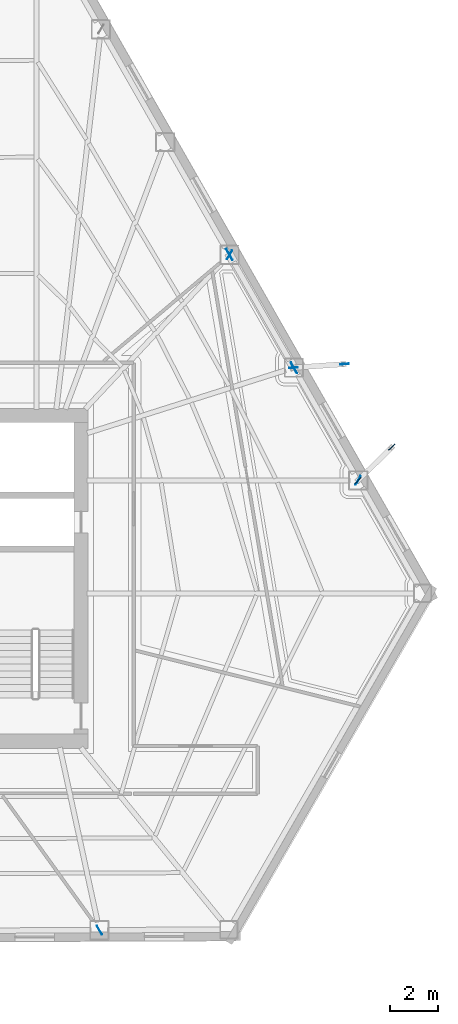
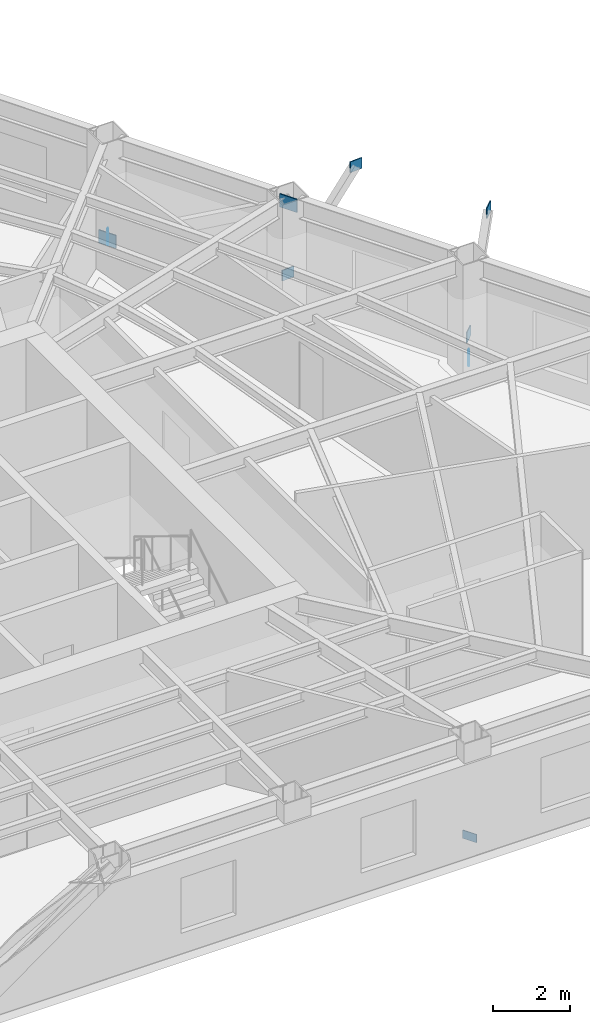
# One storey, part 5 of 12: 9 plates.
"""IFC4 building model written with IfcOpenShell, lengths in metres."""

from ifc_helpers import new_model, si_unit, direction, frame, origin, origin_2d, place, context, subcontext, project, spatial, rectangle, extrude, material, layer, layer_set, type_object, element, save


model = new_model("IFC4")

# Units and contexts
model_context = context("Model", 3, precision=1e-05, world=origin(), true_north=direction((0.0, 1.0)))
body_context = subcontext(model_context, "Body", "Model", "MODEL_VIEW")
ifc_project = project(units=[si_unit("LENGTHUNIT", "METRE"), si_unit("AREAUNIT", "SQUARE_METRE"), si_unit("VOLUMEUNIT", "CUBIC_METRE"), si_unit("PLANEANGLEUNIT", "RADIAN"), si_unit("MASSUNIT", "GRAM", prefix="KILO")], contexts=[model_context])

# Site, building, storey
site_placement = place(None, origin())
site = spatial("IfcSite", under=ifc_project, at=site_placement, CompositionType="ELEMENT")
building_placement = place(site_placement, origin())
building = spatial("IfcBuilding", under=site, at=building_placement, Name="Kavelnor Concourse Tower", CompositionType="ELEMENT")
storey_placement = place(building_placement, frame((0.0, 0.0, 13.699951171875)))
storey = spatial("IfcBuildingStorey", under=building, at=storey_placement, Name="L03", CompositionType="ELEMENT", Elevation=13.699951171875)

# Plates
ifc_material = material(Name="Steel Grade 350", Category="steel")
ifc_layer_1 = layer(ifc_material, 0.028076171875, Name="Steel Grade 350")
ifc_layer_set_1 = layer_set([ifc_layer_1], Name="Steel Grade 350")
plate_type_1 = type_object("IfcPlateType", Name="PL-GUSSET-FOLD", PredefinedType="USERDEFINED", material=ifc_layer_set_1)
for number, where, z_axis, x_axis, name in (
    (1, (59.385498046875, 20.1796875, 0.8798828125), (0.0, 0.0, 1.0), (0.709693707598, 0.704510355776, 0.0), "L03 Balcony Strut Gusset GP4 2-A End Gusset A"),
    (2, (60.7939453125, 21.577880859375, 3.48486328125), (0.0, 0.0, 1.0), (0.709693707598, 0.704510355776, 0.0), "L03 Balcony Strut Gusset GP4 2-A End Gusset B"),
    (3, (56.6962890625, 24.89794921875, 0.8798828125), (0.0, 0.0, 1.0), (0.997588339087, 0.069408253958, 0.0), "L03 Balcony Strut Gusset GP4 2-B End Gusset A"),
    (4, (58.81689453125, 25.04541015625, 3.48486328125), (0.0, 0.0, 1.0), (0.997588339087, 0.069408253958, 0.0), "L03 Balcony Strut Gusset GP4 2-B End Gusset B"),
):
    element("IfcPlate", number, at=place(storey_placement, frame(where, z_axis=z_axis, x_axis=x_axis)), inside=storey, type_object=plate_type_1, Name=name, ObjectType="GUSSET_PLATE", PredefinedType="USERDEFINED", context=body_context, shape_type="SweptSolid", body=[
        extrude(rectangle(XDim=0.360107421875, YDim=0.028076171875, at=origin_2d()), origin(), (0.0, 0.0, 1.0), 0.340087890625),
    ])
ifc_layer_2 = layer(ifc_material, 0.031982421875, Name="Steel Grade 350")
ifc_layer_set_2 = layer_set([ifc_layer_2], Name="Steel Grade 350")
plate_type_2 = type_object("IfcPlateType", Name="PL-GUSSET-TUBE-Z1", PredefinedType="USERDEFINED", material=ifc_layer_set_2)
for number, where, z_axis, x_axis, name in (
    (5, (54.0166015625, 29.61962890625, 0.010009765625), (0.0, 0.0, 1.0), (0.495307056088, -0.868717975058, 0.0), "L03 Tube Brace Gusset GP3 F2-B2 End Gusset A"),
    (6, (56.714111328125, 24.88818359375, 3.073974609375), (0.0, 0.0, 1.0), (0.495307056088, -0.868717975058, 0.0), "L03 Tube Brace Gusset GP3 F2-B2 End Gusset B"),
):
    element("IfcPlate", number, at=place(storey_placement, frame(where, z_axis=z_axis, x_axis=x_axis)), inside=storey, type_object=plate_type_2, Name=name, ObjectType="GUSSET_PLATE", PredefinedType="USERDEFINED", context=body_context, shape_type="SweptSolid", body=[
        extrude(rectangle(XDim=0.52001953125, YDim=0.031982421875, at=origin_2d()), origin(), (0.0, 0.0, 1.0), 0.419921875),
    ])
ifc_layer_3 = layer(ifc_material, 0.02490234375, Name="Steel Grade 350")
ifc_layer_set_3 = layer_set([ifc_layer_3], Name="Steel Grade 350")
plate_type_3 = type_object("IfcPlateType", Name="PL-SPLICE-FLANGE", PredefinedType="SHEET", material=ifc_layer_set_3)
for number, where, z_axis, x_axis, name in (
    (7, (48.589111328125, 1.410400390625, 0.169921875), (0.0, 0.0, 1.0), (-0.5, 0.866025403784, 0.0), "L03 Column Flange Splice Plate F1-B5"),
    (8, (59.39404296875, 20.188232421875, 0.169921875), (0.0, 0.0, 1.0), (-0.5, -0.866025403784, 0.0), "L03 Column Flange Splice Plate F2-B1"),
    (9, (54.0224609375, 29.609375, 0.169921875), (0.0, 0.0, 1.0), (-0.5, -0.866025403784, 0.0), "L03 Column Flange Splice Plate F2-B3"),
):
    element("IfcPlate", number, at=place(storey_placement, frame(where, z_axis=z_axis, x_axis=x_axis)), inside=storey, type_object=plate_type_3, Name=name, PredefinedType="SHEET", context=body_context, shape_type="SweptSolid", body=[
        extrude(rectangle(XDim=0.419921875, YDim=0.02490234375, at=origin_2d()), origin(), (0.0, 0.0, 1.0), 0.260009765625),
    ])

save(model, "model.ifc")
